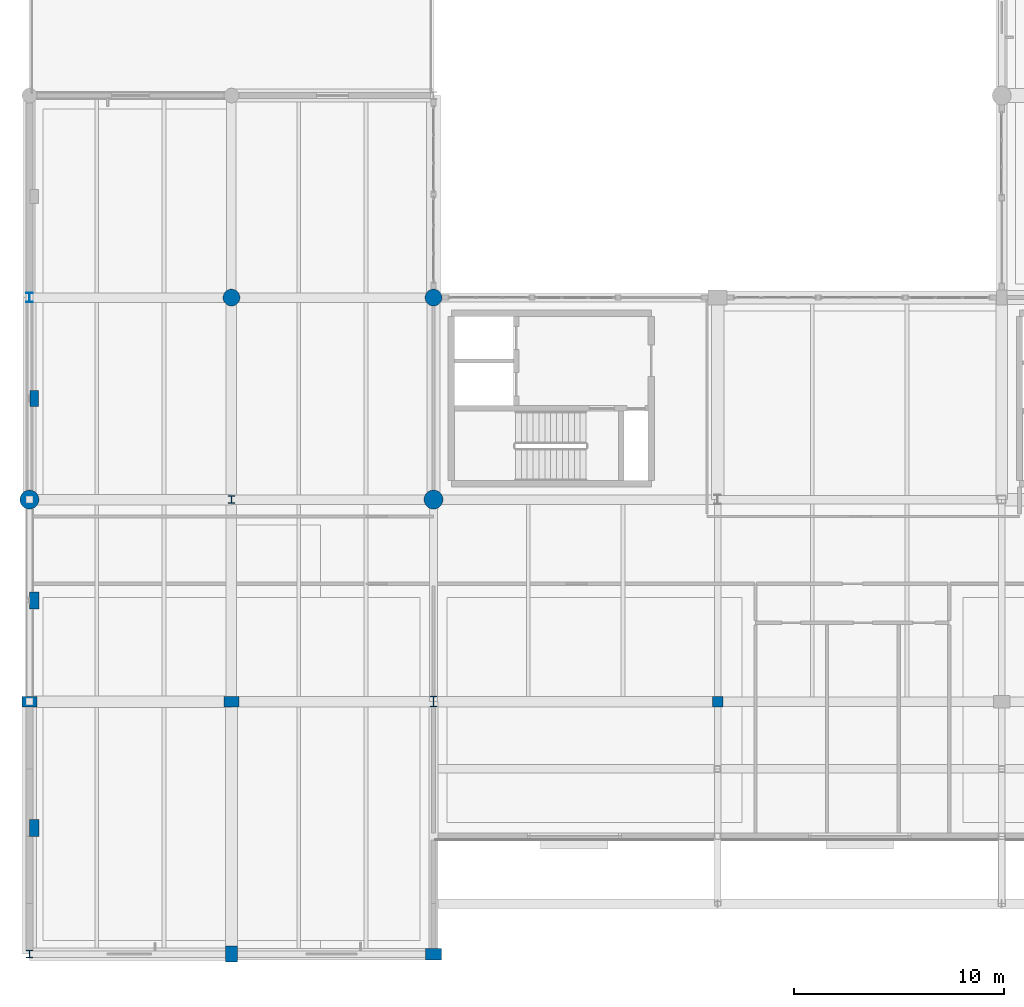
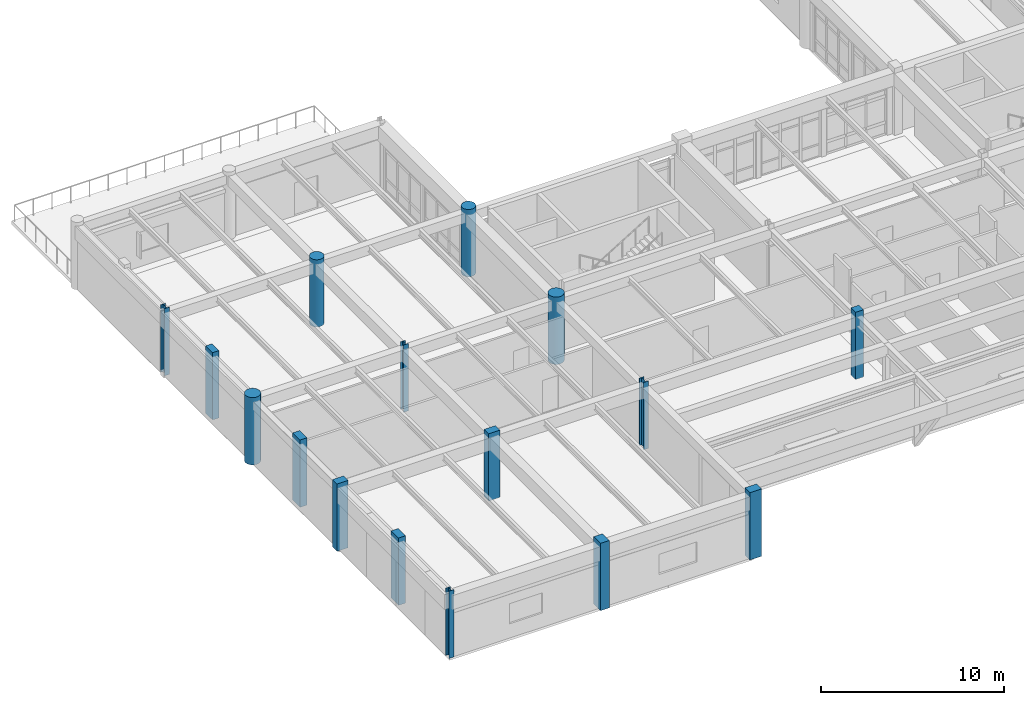
# One storey, part 1 of 80: 16 columns.
"""IFC4 building model written with IfcOpenShell, lengths in metres."""

import ifcopenshell
import ifcopenshell.guid

model = None  # the IFC model being written
_history = None  # IfcOwnerHistory: only IFC2X3 demands one
_inside = {}  # id of a spatial element -> (the spatial element, [elements in it])
_under = {}  # id of a project, library or spatial element -> (it, [spatial elements below it])
_declared = {}  # id of a project -> (the project, [libraries it declares])
_typed = {}  # id of a type object -> (the type object, [elements of that type])
_made_of = {}  # id of a material, layer set ... -> (it, [elements and type objects made of it])


def new_model(schema):
    """Start an empty IFC model of exactly this schema.

    Asked for "IFC4X3", IfcOpenShell would pick the latest addendum, in which some entities
    have other attributes; the version numbers below select the first issue.
    IFC2X3 requires an IfcOwnerHistory on every rooted entity: one is made here for all.
    """
    global model, _history
    if schema == "IFC4X3":
        model = ifcopenshell.file(schema_version=(4, 3, 0, 0))
    else:
        model = ifcopenshell.file(schema=schema)
    _inside.clear()
    _under.clear()
    _declared.clear()
    _typed.clear()
    _made_of.clear()
    _history = None
    if model.schema == "IFC2X3":
        org = make("IfcOrganization", Name="unknown")
        user = make(
            "IfcPersonAndOrganization",
            ThePerson=make("IfcPerson", FamilyName="unknown"),
            TheOrganization=org,
        )
        app = make(
            "IfcApplication",
            ApplicationDeveloper=org,
            Version="unknown",
            ApplicationFullName="unknown",
            ApplicationIdentifier="unknown",
        )
        _history = make(
            "IfcOwnerHistory",
            OwningUser=user,
            OwningApplication=app,
            ChangeAction="ADDED",
            CreationDate=0,
        )
    return model


def make(cls, **values):
    """One entity of the class cls with the attributes given. An attribute that is None is left unset."""
    return model.create_entity(
        cls, **{name: value for name, value in values.items() if value is not None}
    )


def rooted(cls, **values):
    """An entity with a GlobalId (a new one), such as an element, a storey or a relation."""
    return make(cls, GlobalId=ifcopenshell.guid.new(), OwnerHistory=_history, **values)


def si_unit(unit_type, name, prefix=None):
    """IfcSIUnit, for example si_unit("LENGTHUNIT", "METRE", prefix="MILLI")."""
    return make("IfcSIUnit", UnitType=unit_type, Prefix=prefix, Name=name)


def assignment(units):
    """IfcUnitAssignment: the units of a project."""
    return None if units is None else make("IfcUnitAssignment", Units=units)


def point(xyz):
    """IfcCartesianPoint."""
    return None if xyz is None else make("IfcCartesianPoint", Coordinates=xyz)


def direction(xyz):
    """IfcDirection."""
    return None if xyz is None else make("IfcDirection", DirectionRatios=xyz)


def frame(location, z_axis=None, x_axis=None):
    """IfcAxis2Placement3D, a coordinate frame: its origin and axes. An axis left out is left unset."""
    return make(
        "IfcAxis2Placement3D",
        Location=point(location),
        Axis=direction(z_axis),
        RefDirection=direction(x_axis),
    )


def frame_2d(location, x_axis=None):
    """IfcAxis2Placement2D, a coordinate frame in the plane: its origin and x axis."""
    return make(
        "IfcAxis2Placement2D", Location=point(location), RefDirection=direction(x_axis)
    )


def origin():
    """The frame at (0, 0, 0) with its axes left unset."""
    return frame((0.0, 0.0, 0.0))


def origin_2d():
    """The frame at (0, 0) in the plane with its x axis left unset."""
    return frame_2d((0.0, 0.0))


def place(relative_to, where):
    """IfcLocalPlacement: puts the frame where relative to a parent placement (None: the world)."""
    return make(
        "IfcLocalPlacement", PlacementRelTo=relative_to, RelativePlacement=where
    )


def context(
    kind, dimensions, precision=None, world=None, true_north=None, identifier=None
):
    """IfcGeometricRepresentationContext, for example the 3D "Model" context."""
    return make(
        "IfcGeometricRepresentationContext",
        ContextIdentifier=identifier,
        ContextType=kind,
        CoordinateSpaceDimension=dimensions,
        Precision=precision,
        WorldCoordinateSystem=world,
        TrueNorth=true_north,
    )


def subcontext(parent, identifier, kind, view, scale=None):
    """IfcGeometricRepresentationSubContext, for example "Body" below "Model"."""
    return make(
        "IfcGeometricRepresentationSubContext",
        ContextIdentifier=identifier,
        ContextType=kind,
        ParentContext=parent,
        TargetScale=scale,
        TargetView=view,
    )


def project(units=None, contexts=None):
    """IfcProject with its units and contexts."""
    return rooted(
        "IfcProject",
        Name="project",
        RepresentationContexts=contexts,
        UnitsInContext=assignment(units),
    )


def spatial(cls, under=None, at=None, **own):
    """A site, building, storey or space (cls), placed at a placement, below another one or the project."""
    s = rooted(cls, ObjectPlacement=at, **own)
    if under is not None:
        _under.setdefault(under.id(), (under, []))[1].append(s)
    return s


def profile(cls, at=None, kind="AREA", **sizes):
    """A parametric profile (cls). Its sizes go by their IFC names, for example OverallWidth=200.0."""
    return make(cls, ProfileType=kind, Position=at, **sizes)


def rectangle(**sizes):
    """IfcRectangleProfileDef."""
    return profile("IfcRectangleProfileDef", **sizes)


def circle(**sizes):
    """IfcCircleProfileDef."""
    return profile("IfcCircleProfileDef", **sizes)


def i_section(**sizes):
    """IfcIShapeProfileDef."""
    return profile("IfcIShapeProfileDef", **sizes)


def extrude(swept, where, along, depth):
    """IfcExtrudedAreaSolid: the profile swept, set in the frame where, extruded along a direction by depth."""
    return make(
        "IfcExtrudedAreaSolid",
        SweptArea=swept,
        Position=where,
        ExtrudedDirection=direction(along),
        Depth=depth,
    )


def shape(context_of_items, identifier, shape_type, items):
    """IfcShapeRepresentation: the items that make up one representation, for example the "Body"."""
    return make(
        "IfcShapeRepresentation",
        ContextOfItems=context_of_items,
        RepresentationIdentifier=identifier,
        RepresentationType=shape_type,
        Items=items,
    )


def material(Name=None, Category=None):
    """IfcMaterial."""
    return make("IfcMaterial", Name=Name, Category=Category)


def material_profile(
    of_material, cross_section, Name=None, Category=None, Priority=None
):
    """IfcMaterialProfile: a cross section and its material."""
    return make(
        "IfcMaterialProfile",
        Name=Name,
        Material=of_material,
        Profile=cross_section,
        Priority=Priority,
        Category=Category,
    )


def profile_set(profiles, Name=None, composite=None):
    """IfcMaterialProfileSet."""
    return make(
        "IfcMaterialProfileSet",
        Name=Name,
        MaterialProfiles=profiles,
        CompositeProfile=composite,
    )


def made_of(thing, what):
    """Note that an element or type object is made of a material, layer set ...; save() writes the relation."""
    if what is not None:
        _made_of.setdefault(what.id(), (what, []))[1].append(thing)
    return thing


def type_object(cls, material=None, **own):
    """A type object (cls), such as IfcWallType, which elements share."""
    return made_of(rooted(cls, **own), material)


def element(
    cls,
    number,
    at=None,
    inside=None,
    cuts=None,
    type_object=None,
    material=None,
    context=None,
    identifier="Body",
    shape_type=None,
    held_by="IfcProductDefinitionShape",
    body=None,
    shapes=None,
    **own,
):
    """One element of the class cls, such as IfcWall. Its Tag is "e" and its number.

    at: its placement. inside: the storey or other place that contains it. cuts: it is an
    opening in that element (IfcRelVoidsElement). A single representation is given by context,
    identifier, shape_type and body (its items); several are given by shapes. held_by: the class
    of the entity that holds the representations. save() writes the other relations.
    """
    e = rooted(cls, Tag="e%d" % number, ObjectPlacement=at, **own)
    if body is not None:
        shapes = [shape(context, identifier, shape_type, body)]
    if shapes is not None:
        e.Representation = make(held_by, Representations=shapes)
    if inside is not None:
        _inside.setdefault(inside.id(), (inside, []))[1].append(e)
    if cuts is not None:
        rooted(
            "IfcRelVoidsElement", RelatingBuildingElement=cuts, RelatedOpeningElement=e
        )
    if type_object is not None:
        _typed.setdefault(type_object.id(), (type_object, []))[1].append(e)
    return made_of(e, material)


def aggregate(whole, parts):
    """IfcRelAggregates: a whole, such as a stair, and the parts it consists of."""
    return rooted("IfcRelAggregates", RelatingObject=whole, RelatedObjects=parts)


def save(model, path):
    """Write the relations noted so far, then the file.

    IfcRelAggregates (storeys below a building ...), IfcRelContainedInSpatialStructure (elements
    in a storey), IfcRelDefinesByType, IfcRelAssociatesMaterial and IfcRelDeclares: one each for
    every whole, place, type object, material and project.
    """
    for whole, parts in _under.values():
        aggregate(whole, parts)
    for where, things in _inside.values():
        rooted(
            "IfcRelContainedInSpatialStructure",
            RelatedElements=things,
            RelatingStructure=where,
        )
    for kind, things in _typed.values():
        rooted("IfcRelDefinesByType", RelatedObjects=things, RelatingType=kind)
    for what, things in _made_of.values():
        rooted("IfcRelAssociatesMaterial", RelatedObjects=things, RelatingMaterial=what)
    for by, libraries in _declared.values():
        rooted("IfcRelDeclares", RelatingContext=by, RelatedDefinitions=libraries)
    model.write(path)


model = new_model("IFC4")

# Units and contexts
model_context = context("Model", 3, precision=1e-05, world=origin(), true_north=direction((0.0, 1.0)))
body_context = subcontext(model_context, "Body", "Model", "MODEL_VIEW")
ifc_project = project(units=[si_unit("LENGTHUNIT", "METRE"), si_unit("AREAUNIT", "SQUARE_METRE"), si_unit("VOLUMEUNIT", "CUBIC_METRE"), si_unit("PLANEANGLEUNIT", "RADIAN"), si_unit("MASSUNIT", "GRAM", prefix="KILO")], contexts=[model_context])

# Site, building, storey
site_placement = place(None, origin())
site = spatial("IfcSite", under=ifc_project, at=site_placement, CompositionType="ELEMENT")
building_placement = place(site_placement, origin())
building = spatial("IfcBuilding", under=site, at=building_placement, Name="Fikremerkos Civic Library", CompositionType="ELEMENT")
storey_placement = place(building_placement, frame((0.0, 0.0, 9.89990234375)))
storey = spatial("IfcBuildingStorey", under=building, at=storey_placement, Name="L02", CompositionType="ELEMENT", Elevation=9.89990234375)

# Columns
ifc_material_1 = material(Name="Concrete C40/50", Category="concrete")
ifc_material_profile_1 = material_profile(ifc_material_1, rectangle(XDim=0.5, YDim=0.5, at=origin_2d()), Name="RC 500x500")
ifc_profile_set_1 = profile_set([ifc_material_profile_1], Name="Concrete C40/50")
column_type_1 = type_object("IfcColumnType", Name="Structural column COL-11 RC 500x500", PredefinedType="COLUMN", material=ifc_profile_set_1)
column_1_placement = place(storey_placement, frame((32.699951171875, 12.0, 0.0), z_axis=(0.0, 0.0, 1.0), x_axis=(1.0, 0.0, 0.0)))
element("IfcColumn", 1, at=column_1_placement, inside=storey, type_object=column_type_1, Name="Column COL-11 L02 4/E", PredefinedType="COLUMN", context=body_context, shape_type="SweptSolid", body=[
    extrude(rectangle(XDim=0.5, YDim=0.5, at=origin_2d()), origin(), (0.0, 0.0, 1.0), 4.5),
])
ifc_material_profile_2 = material_profile(ifc_material_1, rectangle(XDim=0.75, YDim=0.550048828125, at=origin_2d()), Name="RC 750x550")
ifc_profile_set_2 = profile_set([ifc_material_profile_2], Name="Concrete C40/50")
column_type_2 = type_object("IfcColumnType", Name="Structural column COL-15 RC 750x550", PredefinedType="COLUMN", material=ifc_profile_set_2)
for number, where, z_axis, x_axis, name in (
    (2, (9.60009765625, 0.0, 0.0), (0.0, 0.0, 1.0), (0.0, 1.0, 0.0), "Column COL-15 L02 2/A"),
    (3, (19.199951171875, 0.0, 0.0), (0.0, 0.0, 1.0), (1.0, 0.0, 0.0), "Column COL-15 L02 3/A"),
):
    element("IfcColumn", number, at=place(storey_placement, frame(where, z_axis=z_axis, x_axis=x_axis)), inside=storey, type_object=column_type_2, Name=name, PredefinedType="COLUMN", context=body_context, shape_type="SweptSolid", body=[
        extrude(rectangle(XDim=0.75, YDim=0.550048828125, at=origin_2d()), origin(), (0.0, 0.0, 1.0), 4.5),
    ])
ifc_material_profile_3 = material_profile(ifc_material_1, rectangle(XDim=0.699951171875, YDim=0.5, at=origin_2d()), Name="RC 700x500")
ifc_profile_set_3 = profile_set([ifc_material_profile_3], Name="Concrete C40/50")
column_type_3 = type_object("IfcColumnType", Name="Structural column COL-16 RC 700x500", PredefinedType="COLUMN", material=ifc_profile_set_3)
for number, where, z_axis, x_axis, name in (
    (4, (0.0, 12.0, 0.0), (0.0, 0.0, 1.0), (1.0, 0.0, 0.0), "Column COL-16 L02 1/E"),
    (5, (9.60009765625, 12.0, 0.0), (0.0, 0.0, 1.0), (1.0, 0.0, 0.0), "Column COL-16 L02 2/E"),
):
    element("IfcColumn", number, at=place(storey_placement, frame(where, z_axis=z_axis, x_axis=x_axis)), inside=storey, type_object=column_type_3, Name=name, PredefinedType="COLUMN", context=body_context, shape_type="SweptSolid", body=[
        extrude(rectangle(XDim=0.699951171875, YDim=0.5, at=origin_2d()), origin(), (0.0, 0.0, 1.0), 4.5),
    ])
ifc_material_2 = material(Name="Concrete C45/55", Category="concrete")
ifc_material_profile_4 = material_profile(ifc_material_2, circle(Radius=0.449951171875, at=origin_2d()), Name="RC D900")
ifc_profile_set_4 = profile_set([ifc_material_profile_4], Name="Concrete C45/55")
column_type_4 = type_object("IfcColumnType", Name="Structural column COL-17 RC D900", PredefinedType="COLUMN", material=ifc_profile_set_4)
for number, where, z_axis, x_axis, name in (
    (6, (0.0, 21.60009765625, 0.0), (0.0, 0.0, 1.0), (1.0, 0.0, 0.0), "Column COL-17 L02 1/F"),
    (7, (19.199951171875, 21.60009765625, 0.0), (0.0, 0.0, 1.0), (1.0, 0.0, 0.0), "Column COL-17 L02 3/F"),
):
    element("IfcColumn", number, at=place(storey_placement, frame(where, z_axis=z_axis, x_axis=x_axis)), inside=storey, type_object=column_type_4, Name=name, PredefinedType="COLUMN", context=body_context, shape_type="SweptSolid", body=[
        extrude(circle(Radius=0.449951171875, at=origin_2d()), origin(), (0.0, 0.0, 1.0), 4.5),
    ])
ifc_material_profile_5 = material_profile(ifc_material_1, circle(Radius=0.39990234375, at=origin_2d()), Name="RC D800")
ifc_profile_set_5 = profile_set([ifc_material_profile_5], Name="Concrete C40/50")
column_type_5 = type_object("IfcColumnType", Name="Structural column COL-18 RC D800", PredefinedType="COLUMN", material=ifc_profile_set_5)
for number, where, z_axis, x_axis, name in (
    (8, (9.60009765625, 31.199951171875, 0.0), (0.0, 0.0, 1.0), (1.0, 0.0, 0.0), "Column COL-18 L02 2/G"),
    (9, (19.199951171875, 31.199951171875, 0.0), (0.0, 0.0, 1.0), (1.0, 0.0, 0.0), "Column COL-18 L02 3/G"),
):
    element("IfcColumn", number, at=place(storey_placement, frame(where, z_axis=z_axis, x_axis=x_axis)), inside=storey, type_object=column_type_5, Name=name, PredefinedType="COLUMN", context=body_context, shape_type="SweptSolid", body=[
        extrude(circle(Radius=0.39990234375, at=origin_2d()), origin(), (0.0, 0.0, 1.0), 4.5),
    ])
ifc_material_3 = material(Name="Steel S355", Category="steel")
ifc_material_profile_6 = material_profile(ifc_material_3, i_section(OverallWidth=0.300048828125, OverallDepth=0.5, WebThickness=0.014404296875, FlangeThickness=0.028076171875, FilletRadius=0.027099609375, at=origin_2d()), Name="HEB 500")
ifc_profile_set_6 = profile_set([ifc_material_profile_6], Name="Steel S355")
column_type_6 = type_object("IfcColumnType", Name="Structural column COL-22 HEB 500", PredefinedType="COLUMN", material=ifc_profile_set_6)
column_2_placement = place(storey_placement, frame((19.199951171875, 12.0, 0.0), z_axis=(0.0, 0.0, 1.0), x_axis=(1.0, 0.0, 0.0)))
element("IfcColumn", 10, at=column_2_placement, inside=storey, type_object=column_type_6, Name="Column COL-22 L02 3/E", PredefinedType="COLUMN", context=body_context, shape_type="SweptSolid", body=[
    extrude(i_section(OverallWidth=0.300048828125, OverallDepth=0.5, WebThickness=0.014404296875, FlangeThickness=0.028076171875, FilletRadius=0.027099609375, at=origin_2d()), origin(), (0.0, 0.0, 1.0), 4.5),
])
ifc_material_profile_7 = material_profile(ifc_material_3, i_section(OverallWidth=0.300048828125, OverallDepth=0.360107421875, WebThickness=0.012451171875, FlangeThickness=0.0224609375, FilletRadius=0.027099609375, at=origin_2d()), Name="HEB 360")
ifc_profile_set_7 = profile_set([ifc_material_profile_7], Name="Steel S355")
column_type_7 = type_object("IfcColumnType", Name="Structural column COL-25 HEB 360", PredefinedType="COLUMN", material=ifc_profile_set_7)
for number, where, z_axis, x_axis, name in (
    (11, (0.0, 0.0, 0.0), (0.0, 0.0, 1.0), (1.0, 0.0, 0.0), "Column COL-25 L02 1/A"),
    (12, (9.60009765625, 21.60009765625, 0.0), (0.0, 0.0, 1.0), (1.0, 0.0, 0.0), "Column COL-25 L02 2/F"),
):
    element("IfcColumn", number, at=place(storey_placement, frame(where, z_axis=z_axis, x_axis=x_axis)), inside=storey, type_object=column_type_7, Name=name, PredefinedType="COLUMN", context=body_context, shape_type="SweptSolid", body=[
        extrude(i_section(OverallWidth=0.300048828125, OverallDepth=0.360107421875, WebThickness=0.012451171875, FlangeThickness=0.0224609375, FilletRadius=0.027099609375, at=origin_2d()), origin(), (0.0, 0.0, 1.0), 4.5),
    ])
ifc_material_profile_8 = material_profile(ifc_material_3, i_section(OverallWidth=0.300048828125, OverallDepth=0.43994140625, WebThickness=0.011474609375, FlangeThickness=0.02099609375, FilletRadius=0.027099609375, at=origin_2d()), Name="HEA 450")
ifc_profile_set_8 = profile_set([ifc_material_profile_8], Name="Steel S355")
column_type_8 = type_object("IfcColumnType", Name="Structural column COL-28 HEA 450", PredefinedType="COLUMN", material=ifc_profile_set_8)
column_3_placement = place(storey_placement, frame((0.0, 31.199951171875, 0.0), z_axis=(0.0, 0.0, 1.0), x_axis=(1.0, 0.0, 0.0)))
element("IfcColumn", 13, at=column_3_placement, inside=storey, type_object=column_type_8, Name="Column COL-28 L02 1/G", PredefinedType="COLUMN", context=body_context, shape_type="SweptSolid", body=[
    extrude(i_section(OverallWidth=0.300048828125, OverallDepth=0.43994140625, WebThickness=0.011474609375, FlangeThickness=0.02099609375, FilletRadius=0.027099609375, at=origin_2d()), origin(), (0.0, 0.0, 1.0), 4.5),
])
ifc_material_profile_9 = material_profile(ifc_material_1, rectangle(XDim=0.449951171875, YDim=0.800048828125, at=origin_2d()), Name="RC 450x800")
ifc_profile_set_9 = profile_set([ifc_material_profile_9], Name="Concrete C40/50")
column_type_9 = type_object("IfcColumnType", Name="Wall pilaster PIL-01 RC 450x800", PredefinedType="PILASTER", material=ifc_profile_set_9)
for number, where, z_axis, x_axis, name in (
    (14, (0.219970703125, 6.0, 0.0), (0.0, 0.0, 1.0), (1.0, 0.0, 0.0), "Wall pilaster PIL-01 L02 W1"),
    (15, (0.219970703125, 16.800048828125, 0.0), (0.0, 0.0, 1.0), (1.0, 0.0, 0.0), "Wall pilaster PIL-01 L02 W2"),
):
    element("IfcColumn", number, at=place(storey_placement, frame(where, z_axis=z_axis, x_axis=x_axis)), inside=storey, type_object=column_type_9, Name=name, PredefinedType="PILASTER", context=body_context, shape_type="SweptSolid", body=[
        extrude(rectangle(XDim=0.449951171875, YDim=0.800048828125, at=origin_2d()), origin(), (0.0, 0.0, 1.0), 4.5),
    ])
ifc_material_profile_10 = material_profile(ifc_material_1, rectangle(XDim=0.39990234375, YDim=0.75, at=origin_2d()), Name="RC 400x750")
ifc_profile_set_10 = profile_set([ifc_material_profile_10], Name="Concrete C40/50")
column_type_10 = type_object("IfcColumnType", Name="Wall pilaster PIL-02 RC 400x750", PredefinedType="PILASTER", material=ifc_profile_set_10)
column_4_placement = place(storey_placement, frame((0.219970703125, 26.39990234375, 0.0), z_axis=(0.0, 0.0, 1.0), x_axis=(1.0, 0.0, 0.0)))
element("IfcColumn", 16, at=column_4_placement, inside=storey, type_object=column_type_10, Name="Wall pilaster PIL-02 L02 W3", PredefinedType="PILASTER", context=body_context, shape_type="SweptSolid", body=[
    extrude(rectangle(XDim=0.39990234375, YDim=0.75, at=origin_2d()), origin(), (0.0, 0.0, 1.0), 4.5),
])

save(model, "model.ifc")
